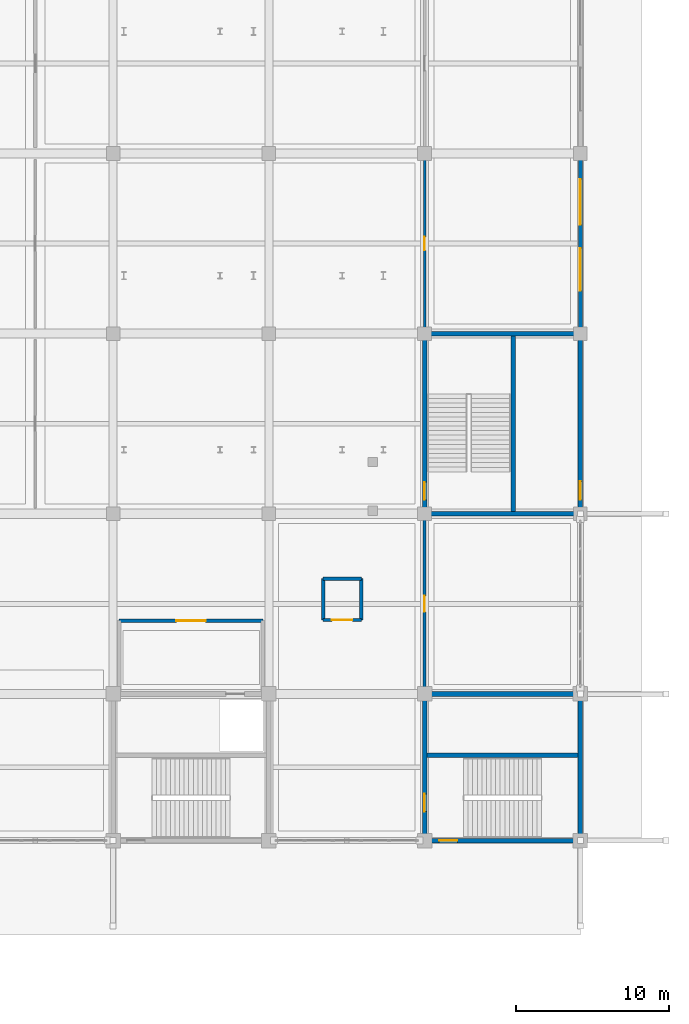
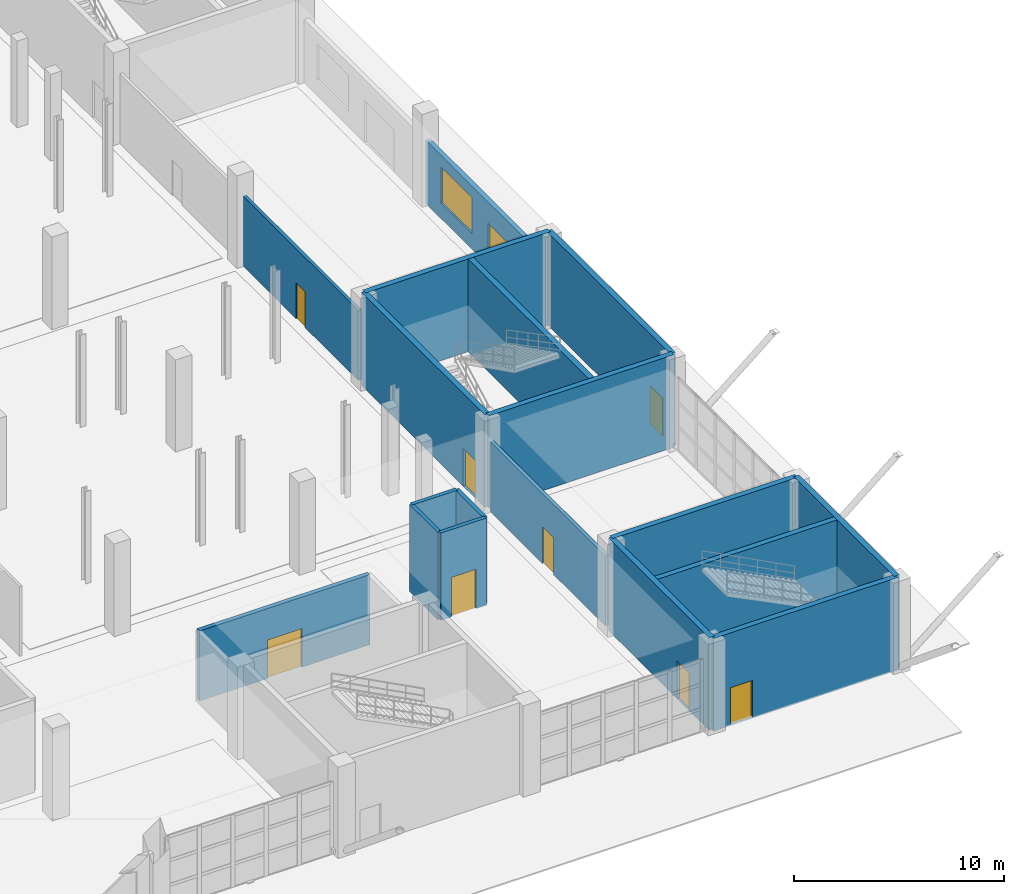
# One storey, part 93 of 124: 18 walls, 9 doors, 1 window, 10 openings.
"""IFC4 building model written with IfcOpenShell, lengths in metres."""

from ifc_helpers import new_model, si_unit, direction, frame, frame_2d, origin, place, context, subcontext, project, spatial, rectangle, extrude, material, layer, layer_set, type_object, element, fill, save


model = new_model("IFC4")

# Units and contexts
model_context = context("Model", 3, precision=1e-05, world=origin(), true_north=direction((0.0, 1.0)))
body_context = subcontext(model_context, "Body", "Model", "MODEL_VIEW")
ifc_project = project(units=[si_unit("LENGTHUNIT", "METRE"), si_unit("AREAUNIT", "SQUARE_METRE"), si_unit("VOLUMEUNIT", "CUBIC_METRE"), si_unit("PLANEANGLEUNIT", "RADIAN"), si_unit("MASSUNIT", "GRAM", prefix="KILO")], contexts=[model_context])

# Site, building, storey
site_placement = place(None, origin())
site = spatial("IfcSite", under=ifc_project, at=site_placement, CompositionType="ELEMENT")
building_placement = place(site_placement, origin())
building = spatial("IfcBuilding", under=site, at=building_placement, Name="Brelvane Convention Centre", CompositionType="ELEMENT")
storey_placement = place(building_placement, origin())
storey = spatial("IfcBuildingStorey", under=building, at=storey_placement, Name="L00", CompositionType="ELEMENT", Elevation=0.0)

# Wall, openings, door, window
ifc_material_1 = material(Name="Insulated Autoclaved Aerated Concrete Block Grade 1", Category="concrete")
ifc_layer_1 = layer(ifc_material_1, 0.260009765625)
ifc_layer_set_1 = layer_set([ifc_layer_1], Name="Insulated Autoclaved Aerated Concrete Block Grade 1")
wall_type_1 = type_object("IfcWallType", Name="Exterior Wall EW-02", PredefinedType="STANDARD", material=ifc_layer_set_1)
wall_1_placement = place(storey_placement, frame((224.39990234375, 52.639892578125, 0.0), z_axis=(0.0, 0.0, 1.0), x_axis=(0.0, 1.0, 0.0)))
wall_1 = element("IfcWall", 1, at=wall_1_placement, inside=storey, type_object=wall_type_1, Name="Exterior Wall L00 V2E-L00-3", PredefinedType="STANDARD", context=body_context, shape_type="SweptSolid", body=[
    extrude(rectangle(XDim=11.320068359375, YDim=0.260009765625, at=frame_2d((5.66015625, 0.0))), origin(), (0.0, 0.0, 1.0), 3.679931640625),
])
opening_1_placement = place(wall_1_placement, frame((2.56201171875, 0.0, 0.0)))
opening_1 = element("IfcOpeningElement", 2, at=opening_1_placement, cuts=wall_1, Name="Opening DR-EX-02", PredefinedType="OPENING", context=body_context, shape_type="SweptSolid", body=[
    extrude(rectangle(XDim=2.800048828125, YDim=2.449951171875, at=frame_2d((1.39990234375, 1.22509765625))), frame((0.0, 0.139892578125, 0.0), z_axis=(0.0, -1.0, 0.0), x_axis=(1.0, 0.0, 0.0)), (0.0, 0.0, 1.0), 0.280029296875),
])
opening_2_placement = place(wall_1_placement, frame((6.876953125, 0.0, 0.89990234375)))
opening_2 = element("IfcOpeningElement", 3, at=opening_2_placement, cuts=wall_1, Name="Opening WN-02", PredefinedType="OPENING", context=body_context, shape_type="SweptSolid", body=[
    extrude(rectangle(XDim=3.0, YDim=2.10009765625, at=frame_2d((1.5, 1.050048828125))), frame((0.0, 0.139892578125, 0.0), z_axis=(0.0, -1.0, 0.0), x_axis=(1.0, 0.0, 0.0)), (0.0, 0.0, 1.0), 0.280029296875),
])
ifc_material_2 = material(Name="Anodised Aluminium Alloy 6063-T6", Category="aluminium")
door_type_1 = type_object("IfcDoorType", Name="Exterior Door DR-EX-02", OperationType="NOTDEFINED", PredefinedType="DOOR", material=ifc_material_2)
door_1_placement = place(opening_1_placement, frame((2.800048828125, 0.0, 0.0), z_axis=(0.0, 0.0, 1.0), x_axis=(-1.0, 0.0, 0.0)))
door_1 = element("IfcDoor", 4, at=door_1_placement, inside=storey, type_object=door_type_1, Name="Final Exit Door PLEN-E3 (DR-EX-02)", OperationType="DOUBLE_DOOR_SINGLE_SWING", OverallHeight=2.449951171875, OverallWidth=2.800048828125, PredefinedType="DOOR", context=body_context, shape_type="SweptSolid", body=[
    extrude(rectangle(XDim=2.800048828125, YDim=2.449951171875, at=frame_2d((1.39990234375, 1.22509765625))), frame((0.0, 0.02490234375, 0.0), z_axis=(0.0, -1.0, 0.0), x_axis=(1.0, 0.0, 0.0)), (0.0, 0.0, 1.0), 0.050048828125),
])
fill(opening_1, door_1)
ifc_material_3 = material(Name="Double Glazed Low-E Laminated Unit")
window_type = type_object("IfcWindowType", Name="Window WN-02", PartitioningType="TRIPLE_PANEL_VERTICAL", PredefinedType="WINDOW", material=ifc_material_3)
window_placement = place(opening_2_placement, origin())
window = element("IfcWindow", 5, at=window_placement, inside=storey, type_object=window_type, Name="Facade Window L00-V2E-L00-3-008", OverallHeight=2.10009765625, OverallWidth=3.0, PartitioningType="TRIPLE_PANEL_VERTICAL", PredefinedType="WINDOW", context=body_context, shape_type="SweptSolid", body=[
    extrude(rectangle(XDim=3.0, YDim=2.10009765625, at=frame_2d((1.5, 1.050048828125))), frame((0.0, 0.030029296875, 0.0), z_axis=(0.0, -1.0, 0.0), x_axis=(1.0, 0.0, 0.0)), (0.0, 0.0, 1.0), 0.06005859375),
])
fill(opening_2, window)

# Wall, opening, door
ifc_material_4 = material(Name="Fire-Rated Acoustic Gypsum Partition Board Grade A")
ifc_layer_2 = layer(ifc_material_4, 0.175048828125)
ifc_layer_set_2 = layer_set([ifc_layer_2], Name="Fire-Rated Acoustic Gypsum Partition Board Grade A")
wall_type_2 = type_object("IfcWallType", Name="Interior Wall IW-AC-175", PredefinedType="PARTITIONING", material=ifc_layer_set_2)
wall_2_placement = place(storey_placement, frame((214.199951171875, 52.800048828125, 0.0), z_axis=(0.0, 0.0, 1.0), x_axis=(0.0, 1.0, 0.0)))
wall_2 = element("IfcWall", 6, at=wall_2_placement, inside=storey, type_object=wall_type_2, Name="Interior Partition L00-OB-1", PredefinedType="PARTITIONING", context=body_context, shape_type="SweptSolid", body=[
    extrude(rectangle(XDim=11.0, YDim=0.175048828125, at=frame_2d((5.5, 0.0))), origin(), (0.0, 0.0, 1.0), 4.080078125),
])
opening_3_placement = place(wall_2_placement, frame((5.06005859375, 0.0, 0.0)))
opening_3 = element("IfcOpeningElement", 7, at=opening_3_placement, cuts=wall_2, Name="Opening DR-IN-11L", PredefinedType="OPENING", context=body_context, shape_type="SweptSolid", body=[
    extrude(rectangle(XDim=0.8798828125, YDim=2.080078125, at=frame_2d((0.43994140625, 1.0400390625))), frame((0.0, 0.097412109375, 0.0), z_axis=(0.0, -1.0, 0.0), x_axis=(1.0, 0.0, 0.0)), (0.0, 0.0, 1.0), 0.195068359375),
])
ifc_material_5 = material(Name="Solid-Core Fire-Rated Hardwood Leaf Grade 1", Category="wood")
door_type_2 = type_object("IfcDoorType", Name="Interior Door DR-IN-11L", OperationType="NOTDEFINED", PredefinedType="DOOR", material=ifc_material_5)
door_2_placement = place(opening_3_placement, origin())
door_2 = element("IfcDoor", 8, at=door_2_placement, inside=storey, type_object=door_type_2, Name="Interior Door L00-OB-1 (DR-IN-11L)", OperationType="SINGLE_SWING_LEFT", OverallHeight=2.080078125, OverallWidth=0.8798828125, PredefinedType="DOOR", context=body_context, shape_type="SweptSolid", body=[
    extrude(rectangle(XDim=0.8798828125, YDim=2.080078125, at=frame_2d((0.43994140625, 1.0400390625))), frame((0.0, 0.02490234375, 0.0), z_axis=(0.0, -1.0, 0.0), x_axis=(1.0, 0.0, 0.0)), (0.0, 0.0, 1.0), 0.050048828125),
])
fill(opening_3, door_2)

ifc_material_6 = material(Name="Fire-Rated Acoustic Gypsum Partition Board Grade A")
ifc_layer_3 = layer(ifc_material_6, 0.18505859375)
ifc_layer_set_3 = layer_set([ifc_layer_3], Name="Fire-Rated Acoustic Gypsum Partition Board Grade A")
wall_type_3 = type_object("IfcWallType", Name="Interior Wall IW-AC-185", PredefinedType="PARTITIONING", material=ifc_layer_set_3)
wall_3_placement = place(storey_placement, frame((214.199951171875, 29.199951171875, 0.0), z_axis=(0.0, 0.0, 1.0), x_axis=(0.0, 1.0, 0.0)))
wall_3 = element("IfcWall", 9, at=wall_3_placement, inside=storey, type_object=wall_type_3, Name="Interior Partition L00-BUSR", PredefinedType="PARTITIONING", context=body_context, shape_type="SweptSolid", body=[
    extrude(rectangle(XDim=11.0, YDim=0.18505859375, at=frame_2d((5.5, 0.0))), origin(), (0.0, 0.0, 1.0), 4.080078125),
])
opening_4_placement = place(wall_3_placement, frame((4.97509765625, 0.0, 0.0)))
opening_4 = element("IfcOpeningElement", 10, at=opening_4_placement, cuts=wall_3, Name="Opening DR-IN-01R", PredefinedType="OPENING", context=body_context, shape_type="SweptSolid", body=[
    extrude(rectangle(XDim=1.050048828125, YDim=2.14990234375, at=frame_2d((0.52490234375, 1.074951171875))), frame((0.0, 0.1025390625, 0.0), z_axis=(0.0, -1.0, 0.0), x_axis=(1.0, 0.0, 0.0)), (0.0, 0.0, 1.0), 0.205078125),
])
ifc_material_7 = material(Name="Solid-Core Fire-Rated Hardwood Leaf Grade 1", Category="wood")
door_type_3 = type_object("IfcDoorType", Name="Interior Door DR-IN-01R", OperationType="NOTDEFINED", PredefinedType="DOOR", material=ifc_material_7)
door_3_placement = place(opening_4_placement, origin())
door_3 = element("IfcDoor", 11, at=door_3_placement, inside=storey, type_object=door_type_3, Name="Interior Door L00-BUSR (DR-IN-01R)", OperationType="SINGLE_SWING_RIGHT", OverallHeight=2.14990234375, OverallWidth=1.050048828125, PredefinedType="DOOR", context=body_context, shape_type="SweptSolid", body=[
    extrude(rectangle(XDim=1.050048828125, YDim=2.14990234375, at=frame_2d((0.52490234375, 1.074951171875))), frame((0.0, 0.02490234375, 0.0), z_axis=(0.0, -1.0, 0.0), x_axis=(1.0, 0.0, 0.0)), (0.0, 0.0, 1.0), 0.050048828125),
])
fill(opening_4, door_3)

ifc_material_8 = material(Name="Concrete M40", Category="concrete")
ifc_layer_4 = layer(ifc_material_8, 0.219970703125)
ifc_layer_set_4 = layer_set([ifc_layer_4], Name="Concrete M40")
wall_type_4 = type_object("IfcWallType", Name="Interior Wall IW-FR-220", PredefinedType="PARTITIONING", material=ifc_layer_set_4)
wall_4_placement = place(storey_placement, frame((207.550048828125, 33.64990234375, 0.0), z_axis=(0.0, 0.0, 1.0), x_axis=(1.0, 0.0, 0.0)))
wall_4 = element("IfcWall", 12, at=wall_4_placement, inside=storey, type_object=wall_type_4, Name="Lift LP-05 Shaft Wall S (L00)", PredefinedType="PARTITIONING", context=body_context, shape_type="SweptSolid", body=[
    extrude(rectangle(XDim=2.5, YDim=0.219970703125, at=frame_2d((1.25, 0.0))), origin(), (0.0, 0.0, 1.0), 5.080078125),
])
opening_5_placement = place(wall_4_placement, frame((0.574951171875, 0.0, 0.0)))
opening_5 = element("IfcOpeningElement", 13, at=opening_5_placement, cuts=wall_4, Name="Opening LD-03", PredefinedType="OPENING", context=body_context, shape_type="SweptSolid", body=[
    extrude(rectangle(XDim=1.35009765625, YDim=2.300048828125, at=frame_2d((0.675048828125, 1.14990234375))), frame((0.0, 0.119873046875, 0.0), z_axis=(0.0, -1.0, 0.0), x_axis=(1.0, 0.0, 0.0)), (0.0, 0.0, 1.0), 0.239990234375),
])
ifc_material_9 = material(Name="Galvanised Hollow-Metal Fire Door Steel E250", Category="steel")
door_type_4 = type_object("IfcDoorType", Name="Interior Door LD-03", OperationType="NOTDEFINED", PredefinedType="DOOR", material=ifc_material_9)
door_4_placement = place(opening_5_placement, origin())
door_4 = element("IfcDoor", 14, at=door_4_placement, inside=storey, type_object=door_type_4, Name="Lift LP-05 Landing Door (L00)", OperationType="DOUBLE_DOOR_SLIDING", OverallHeight=2.300048828125, OverallWidth=1.35009765625, PredefinedType="DOOR", context=body_context, shape_type="SweptSolid", body=[
    extrude(rectangle(XDim=1.35009765625, YDim=2.300048828125, at=frame_2d((0.675048828125, 1.14990234375))), frame((0.0, 0.02490234375, 0.0), z_axis=(0.0, -1.0, 0.0), x_axis=(1.0, 0.0, 0.0)), (0.0, 0.0, 1.0), 0.050048828125),
])
fill(opening_5, door_4)

# Walls
wall_5_placement = place(storey_placement, frame((207.550048828125, 36.35009765625, 0.0), z_axis=(0.0, 0.0, 1.0), x_axis=(1.0, 0.0, 0.0)))
element("IfcWall", 15, at=wall_5_placement, inside=storey, type_object=wall_type_4, Name="Lift LP-05 Shaft Wall N (L00)", PredefinedType="PARTITIONING", context=body_context, shape_type="SweptSolid", body=[
    extrude(rectangle(XDim=2.5, YDim=0.219970703125, at=frame_2d((1.25, 0.0))), origin(), (0.0, 0.0, 1.0), 5.080078125),
])
for number, where, z_axis, x_axis, name in (
    (16, (207.550048828125, 33.64990234375, 0.0), (0.0, 0.0, 1.0), (0.0, 1.0, 0.0), "Lift LP-05 Shaft Wall W (L00)"),
    (17, (210.050048828125, 33.64990234375, 0.0), (0.0, 0.0, 1.0), (0.0, 1.0, 0.0), "Lift LP-05 Shaft Wall E (L00)"),
):
    element("IfcWall", number, at=place(storey_placement, frame(where, z_axis=z_axis, x_axis=x_axis)), inside=storey, type_object=wall_type_4, Name=name, PredefinedType="PARTITIONING", context=body_context, shape_type="SweptSolid", body=[
        extrude(rectangle(XDim=2.7001953125, YDim=0.219970703125, at=frame_2d((1.35009765625, 0.0))), origin(), (0.0, 0.0, 1.0), 5.080078125),
    ])

# Wall, opening, door
ifc_material_10 = material(Name="Concrete M40", Category="concrete")
ifc_layer_5 = layer(ifc_material_10, 0.239990234375)
ifc_layer_set_5 = layer_set([ifc_layer_5], Name="Concrete M40")
wall_type_5 = type_object("IfcWallType", Name="Interior Wall IW-FR-240", PredefinedType="PARTITIONING", material=ifc_layer_set_5)
wall_6_placement = place(storey_placement, frame((194.199951171875, 33.60009765625, 0.0), z_axis=(0.0, 0.0, 1.0), x_axis=(1.0, 0.0, 0.0)))
wall_6 = element("IfcWall", 18, at=wall_6_placement, inside=storey, type_object=wall_type_5, Name="Firefighting Lobby C8 Wall N (L00)", PredefinedType="PARTITIONING", context=body_context, shape_type="SweptSolid", body=[
    extrude(rectangle(XDim=9.400146484375, YDim=0.239990234375, at=frame_2d((4.7001953125, 0.0))), origin(), (0.0, 0.0, 1.0), 4.080078125),
])
opening_6_placement = place(wall_6_placement, frame((3.75, 0.0, 0.0)))
opening_6 = element("IfcOpeningElement", 19, at=opening_6_placement, cuts=wall_6, Name="Opening DR-FL-01", PredefinedType="OPENING", context=body_context, shape_type="SweptSolid", body=[
    extrude(rectangle(XDim=1.89990234375, YDim=2.25, at=frame_2d((0.949951171875, 1.125))), frame((0.0, 0.1298828125, 0.0), z_axis=(0.0, -1.0, 0.0), x_axis=(1.0, 0.0, 0.0)), (0.0, 0.0, 1.0), 0.260009765625),
])
ifc_material_11 = material(Name="Galvanised Hollow-Metal Fire Door Steel E250", Category="steel")
door_type_5 = type_object("IfcDoorType", Name="Interior Door DR-FL-01", OperationType="NOTDEFINED", PredefinedType="DOOR", material=ifc_material_11)
door_5_placement = place(opening_6_placement, origin())
door_5 = element("IfcDoor", 20, at=door_5_placement, inside=storey, type_object=door_type_5, Name="Firefighting Lobby C8 Smoke Door (L00)", OperationType="DOUBLE_DOOR_SINGLE_SWING", OverallHeight=2.25, OverallWidth=1.89990234375, PredefinedType="DOOR", context=body_context, shape_type="SweptSolid", body=[
    extrude(rectangle(XDim=1.89990234375, YDim=2.25, at=frame_2d((0.949951171875, 1.125))), frame((0.0, 0.02490234375, 0.0), z_axis=(0.0, -1.0, 0.0), x_axis=(1.0, 0.0, 0.0)), (0.0, 0.0, 1.0), 0.050048828125),
])
fill(opening_6, door_5)

ifc_material_12 = material(Name="Concrete M50", Category="concrete")
ifc_layer_6 = layer(ifc_material_12, 0.300048828125)
ifc_layer_set_6 = layer_set([ifc_layer_6], Name="Concrete M50")
wall_type_6 = type_object("IfcWallType", Name="Structural Wall WL-CORE-300", PredefinedType="SHEAR", material=ifc_layer_set_6)
wall_7_placement = place(storey_placement, frame((214.199951171875, 19.199951171875, 0.0), z_axis=(0.0, 0.0, 1.0), x_axis=(1.0, 0.0, 0.0)))
wall_7 = element("IfcWall", 21, at=wall_7_placement, inside=storey, type_object=wall_type_6, Name="Stair Core ST-14 Wall S (L00)", PredefinedType="SHEAR", context=body_context, shape_type="SweptSolid", body=[
    extrude(rectangle(XDim=10.199951171875, YDim=0.300048828125, at=frame_2d((5.10009765625, 0.0))), origin(), (0.0, 0.0, 1.0), 5.39990234375),
])
opening_7_placement = place(wall_7_placement, frame((0.949951171875, 0.0, 0.0)))
opening_7 = element("IfcOpeningElement", 22, at=opening_7_placement, cuts=wall_7, Name="Opening DR-EX-08", PredefinedType="OPENING", context=body_context, shape_type="SweptSolid", body=[
    extrude(rectangle(XDim=1.199951171875, YDim=2.199951171875, at=frame_2d((0.60009765625, 1.10009765625))), frame((0.0, 0.159912109375, 0.0), z_axis=(0.0, -1.0, 0.0), x_axis=(1.0, 0.0, 0.0)), (0.0, 0.0, 1.0), 0.320068359375),
])
ifc_material_13 = material(Name="Anodised Aluminium Alloy 6063-T6", Category="aluminium")
door_type_6 = type_object("IfcDoorType", Name="Exterior Door DR-EX-08", OperationType="NOTDEFINED", PredefinedType="DOOR", material=ifc_material_13)
door_6_placement = place(opening_7_placement, frame((1.199951171875, 0.0, 0.0), z_axis=(0.0, 0.0, 1.0), x_axis=(-1.0, 0.0, 0.0)))
door_6 = element("IfcDoor", 23, at=door_6_placement, inside=storey, type_object=door_type_6, Name="Stair ST-14 Final Exit Door", OperationType="SINGLE_SWING_LEFT", OverallHeight=2.199951171875, OverallWidth=1.199951171875, PredefinedType="DOOR", context=body_context, shape_type="SweptSolid", body=[
    extrude(rectangle(XDim=1.199951171875, YDim=2.199951171875, at=frame_2d((0.60009765625, 1.10009765625))), frame((0.0, 0.02490234375, 0.0), z_axis=(0.0, -1.0, 0.0), x_axis=(1.0, 0.0, 0.0)), (0.0, 0.0, 1.0), 0.050048828125),
])
fill(opening_7, door_6)

# Wall
wall_8_placement = place(storey_placement, frame((214.199951171875, 28.800048828125, 0.0), z_axis=(0.0, 0.0, 1.0), x_axis=(1.0, 0.0, 0.0)))
element("IfcWall", 24, at=wall_8_placement, inside=storey, type_object=wall_type_6, Name="Stair Core ST-14 Wall N (L00)", PredefinedType="SHEAR", context=body_context, shape_type="SweptSolid", body=[
    extrude(rectangle(XDim=10.199951171875, YDim=0.300048828125, at=frame_2d((5.10009765625, 0.0))), origin(), (0.0, 0.0, 1.0), 5.39990234375),
])

# Wall, opening, door
wall_9_placement = place(storey_placement, frame((214.199951171875, 19.199951171875, 0.0), z_axis=(0.0, 0.0, 1.0), x_axis=(0.0, 1.0, 0.0)))
wall_9 = element("IfcWall", 25, at=wall_9_placement, inside=storey, type_object=wall_type_6, Name="Stair Core ST-14 Wall W (L00)", PredefinedType="SHEAR", context=body_context, shape_type="SweptSolid", body=[
    extrude(rectangle(XDim=9.60009765625, YDim=0.300048828125, at=frame_2d((4.800048828125, 0.0))), origin(), (0.0, 0.0, 1.0), 5.39990234375),
])
opening_8_placement = place(wall_9_placement, frame((1.89990234375, 0.0, 0.0)))
opening_8 = element("IfcOpeningElement", 26, at=opening_8_placement, cuts=wall_9, Name="Opening DR-IN-04L", PredefinedType="OPENING", context=body_context, shape_type="SweptSolid", body=[
    extrude(rectangle(XDim=1.159912109375, YDim=2.199951171875, at=frame_2d((0.580078125, 1.10009765625))), frame((0.0, 0.159912109375, 0.0), z_axis=(0.0, -1.0, 0.0), x_axis=(1.0, 0.0, 0.0)), (0.0, 0.0, 1.0), 0.320068359375),
])
ifc_material_14 = material(Name="Galvanised Hollow-Metal Fire Door Steel E250", Category="steel")
door_type_7 = type_object("IfcDoorType", Name="Interior Door DR-IN-04L", OperationType="NOTDEFINED", PredefinedType="DOOR", material=ifc_material_14)
door_7_placement = place(opening_8_placement, origin())
door_7 = element("IfcDoor", 27, at=door_7_placement, inside=storey, type_object=door_type_7, Name="Stair ST-14 Entry Door (L00)", OperationType="SINGLE_SWING_LEFT", OverallHeight=2.199951171875, OverallWidth=1.159912109375, PredefinedType="DOOR", context=body_context, shape_type="SweptSolid", body=[
    extrude(rectangle(XDim=1.159912109375, YDim=2.199951171875, at=frame_2d((0.580078125, 1.10009765625))), frame((0.0, 0.02490234375, 0.0), z_axis=(0.0, -1.0, 0.0), x_axis=(1.0, 0.0, 0.0)), (0.0, 0.0, 1.0), 0.050048828125),
])
fill(opening_8, door_7)

# Walls
wall_10_placement = place(storey_placement, frame((224.39990234375, 19.199951171875, 0.0), z_axis=(0.0, 0.0, 1.0), x_axis=(0.0, 1.0, 0.0)))
element("IfcWall", 28, at=wall_10_placement, inside=storey, type_object=wall_type_6, Name="Stair Core ST-14 Wall E (L00)", PredefinedType="SHEAR", context=body_context, shape_type="SweptSolid", body=[
    extrude(rectangle(XDim=9.60009765625, YDim=0.300048828125, at=frame_2d((4.800048828125, 0.0))), origin(), (0.0, 0.0, 1.0), 5.39990234375),
])
wall_11_placement = place(storey_placement, frame((214.35009765625, 24.800048828125, 0.0), z_axis=(0.0, 0.0, 1.0), x_axis=(1.0, 0.0, 0.0)))
element("IfcWall", 29, at=wall_11_placement, inside=storey, type_object=wall_type_6, Name="Stair Core ST-14 Well Wall (L00)", PredefinedType="SHEAR", context=body_context, shape_type="SweptSolid", body=[
    extrude(rectangle(XDim=9.89990234375, YDim=0.300048828125, at=frame_2d((4.949951171875, 0.0))), origin(), (0.0, 0.0, 1.0), 5.39990234375),
])
for number, where, z_axis, x_axis, name in (
    (30, (214.199951171875, 40.60009765625, 0.0), (0.0, 0.0, 1.0), (1.0, 0.0, 0.0), "Stair Core ST-15 Wall S (L00)"),
    (31, (214.199951171875, 52.39990234375, 0.0), (0.0, 0.0, 1.0), (1.0, 0.0, 0.0), "Stair Core ST-15 Wall N (L00)"),
):
    element("IfcWall", number, at=place(storey_placement, frame(where, z_axis=z_axis, x_axis=x_axis)), inside=storey, type_object=wall_type_6, Name=name, PredefinedType="SHEAR", context=body_context, shape_type="SweptSolid", body=[
        extrude(rectangle(XDim=10.199951171875, YDim=0.300048828125, at=frame_2d((5.10009765625, 0.0))), origin(), (0.0, 0.0, 1.0), 5.39990234375),
    ])

# Wall, opening, door
wall_12_placement = place(storey_placement, frame((214.199951171875, 40.60009765625, 0.0), z_axis=(0.0, 0.0, 1.0), x_axis=(0.0, 1.0, 0.0)))
wall_12 = element("IfcWall", 32, at=wall_12_placement, inside=storey, type_object=wall_type_6, Name="Stair Core ST-15 Wall W (L00)", PredefinedType="SHEAR", context=body_context, shape_type="SweptSolid", body=[
    extrude(rectangle(XDim=11.7998046875, YDim=0.300048828125, at=frame_2d((5.89990234375, 0.0))), origin(), (0.0, 0.0, 1.0), 5.39990234375),
])
opening_9_placement = place(wall_12_placement, frame((0.919921875, 0.0, 0.0)))
opening_9 = element("IfcOpeningElement", 33, at=opening_9_placement, cuts=wall_12, Name="Opening DR-IN-04L", PredefinedType="OPENING", context=body_context, shape_type="SweptSolid", body=[
    extrude(rectangle(XDim=1.159912109375, YDim=2.199951171875, at=frame_2d((0.580078125, 1.10009765625))), frame((0.0, 0.159912109375, 0.0), z_axis=(0.0, -1.0, 0.0), x_axis=(1.0, 0.0, 0.0)), (0.0, 0.0, 1.0), 0.320068359375),
])
door_8_placement = place(opening_9_placement, origin())
door_8 = element("IfcDoor", 34, at=door_8_placement, inside=storey, type_object=door_type_7, Name="Stair ST-15 Entry Door (L00)", OperationType="SINGLE_SWING_LEFT", OverallHeight=2.199951171875, OverallWidth=1.159912109375, PredefinedType="DOOR", context=body_context, shape_type="SweptSolid", body=[
    extrude(rectangle(XDim=1.159912109375, YDim=2.199951171875, at=frame_2d((0.580078125, 1.10009765625))), frame((0.0, 0.02490234375, 0.0), z_axis=(0.0, -1.0, 0.0), x_axis=(1.0, 0.0, 0.0)), (0.0, 0.0, 1.0), 0.050048828125),
])
fill(opening_9, door_8)

wall_13_placement = place(storey_placement, frame((224.39990234375, 40.60009765625, 0.0), z_axis=(0.0, 0.0, 1.0), x_axis=(0.0, 1.0, 0.0)))
wall_13 = element("IfcWall", 35, at=wall_13_placement, inside=storey, type_object=wall_type_6, Name="Stair Core ST-15 Wall E (L00)", PredefinedType="SHEAR", context=body_context, shape_type="SweptSolid", body=[
    extrude(rectangle(XDim=11.7998046875, YDim=0.300048828125, at=frame_2d((5.89990234375, 0.0))), origin(), (0.0, 0.0, 1.0), 5.39990234375),
])
opening_10_placement = place(wall_13_placement, frame((0.919921875, 0.0, 0.0)))
opening_10 = element("IfcOpeningElement", 36, at=opening_10_placement, cuts=wall_13, Name="Opening DR-EX-08", PredefinedType="OPENING", context=body_context, shape_type="SweptSolid", body=[
    extrude(rectangle(XDim=1.199951171875, YDim=2.199951171875, at=frame_2d((0.60009765625, 1.10009765625))), frame((0.0, 0.159912109375, 0.0), z_axis=(0.0, -1.0, 0.0), x_axis=(1.0, 0.0, 0.0)), (0.0, 0.0, 1.0), 0.320068359375),
])
door_9_placement = place(opening_10_placement, frame((1.199951171875, 0.0, 0.0), z_axis=(0.0, 0.0, 1.0), x_axis=(-1.0, 0.0, 0.0)))
door_9 = element("IfcDoor", 37, at=door_9_placement, inside=storey, type_object=door_type_6, Name="Stair ST-15 Final Exit Door", OperationType="SINGLE_SWING_LEFT", OverallHeight=2.199951171875, OverallWidth=1.199951171875, PredefinedType="DOOR", context=body_context, shape_type="SweptSolid", body=[
    extrude(rectangle(XDim=1.199951171875, YDim=2.199951171875, at=frame_2d((0.60009765625, 1.10009765625))), frame((0.0, 0.02490234375, 0.0), z_axis=(0.0, -1.0, 0.0), x_axis=(1.0, 0.0, 0.0)), (0.0, 0.0, 1.0), 0.050048828125),
])
fill(opening_10, door_9)

# Wall
wall_14_placement = place(storey_placement, frame((220.0, 40.75, 0.0), z_axis=(0.0, 0.0, 1.0), x_axis=(0.0, 1.0, 0.0)))
element("IfcWall", 38, at=wall_14_placement, inside=storey, type_object=wall_type_6, Name="Stair Core ST-15 Well Wall (L00)", PredefinedType="SHEAR", context=body_context, shape_type="SweptSolid", body=[
    extrude(rectangle(XDim=11.5, YDim=0.300048828125, at=frame_2d((5.75, 0.0))), origin(), (0.0, 0.0, 1.0), 5.39990234375),
])

save(model, "model.ifc")
